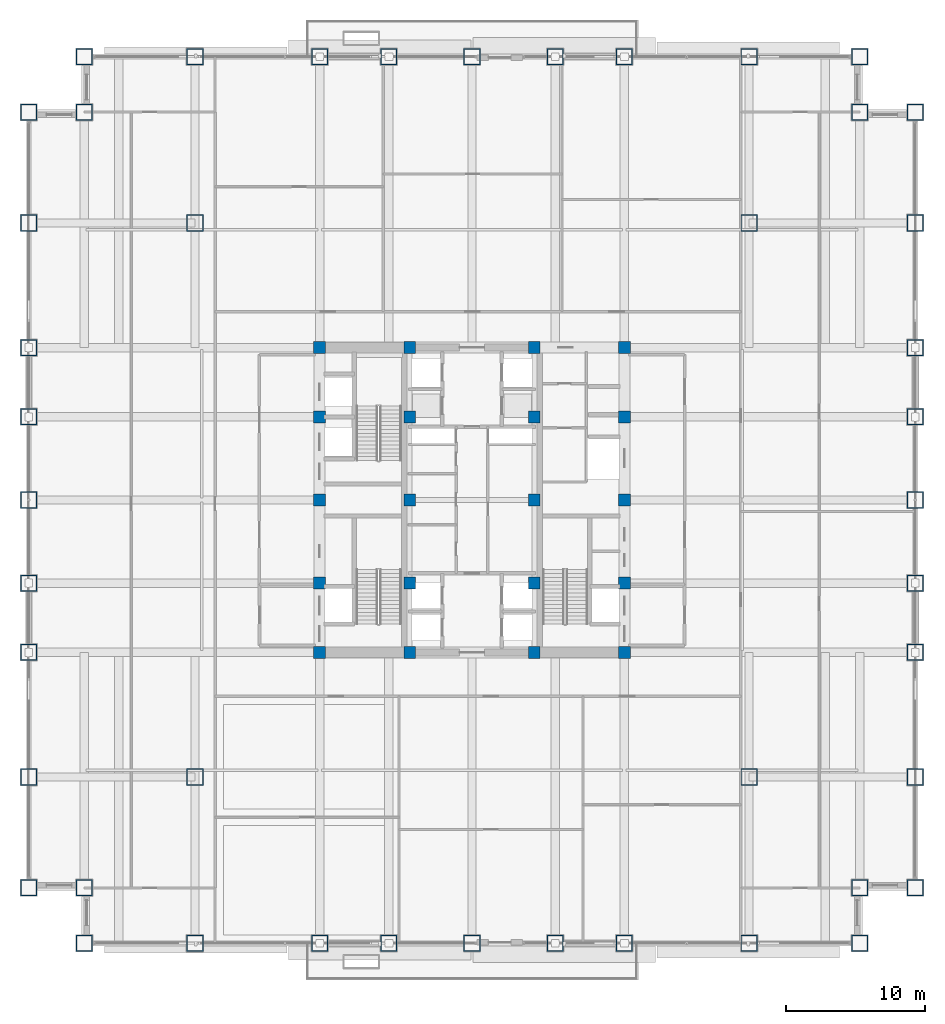
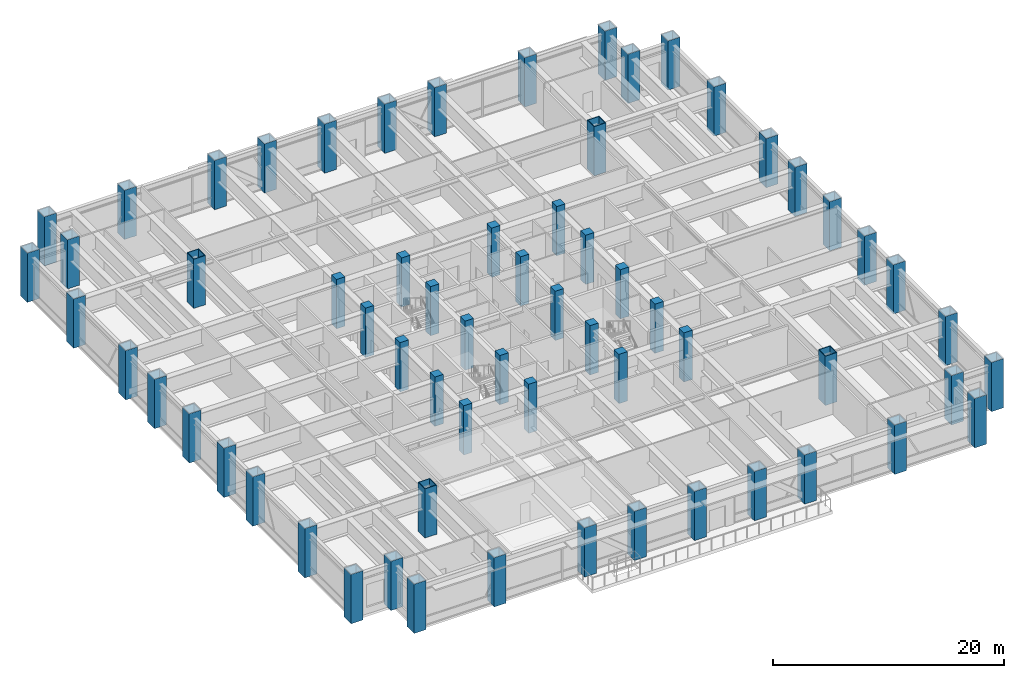
# One storey, part 1 of 34: 64 columns.
"""IFC4 building model written with IfcOpenShell, lengths in metres."""

from ifc_helpers import new_model, si_unit, direction, frame, origin, origin_2d, place, context, subcontext, project, spatial, rectangle, hollow_rectangle, extrude, source, transform, mapped, material, material_profile, profile_set, type_object, element, save


model = new_model("IFC4")

# Units and contexts
model_context = context("Model", 3, precision=1e-05, world=origin(), true_north=direction((0.0, 1.0)))
body_context = subcontext(model_context, "Body", "Model", "MODEL_VIEW")
ifc_project = project(units=[si_unit("LENGTHUNIT", "METRE"), si_unit("AREAUNIT", "SQUARE_METRE"), si_unit("VOLUMEUNIT", "CUBIC_METRE"), si_unit("PLANEANGLEUNIT", "RADIAN"), si_unit("MASSUNIT", "GRAM", prefix="KILO")], contexts=[model_context])

# Site, building, storey
site_placement = place(None, origin())
site = spatial("IfcSite", under=ifc_project, at=site_placement, CompositionType="ELEMENT")
building_placement = place(site_placement, origin())
building = spatial("IfcBuilding", under=site, at=building_placement, Name="Khorayat Bourse Tower", CompositionType="ELEMENT")
storey_placement = place(building_placement, frame((0.0, 0.0, 144.699951171875)))
storey = spatial("IfcBuildingStorey", under=building, at=storey_placement, Name="L33", CompositionType="ELEMENT", Elevation=144.699951171875)

# Columns
ifc_material_1 = material(Name="Steel EN 10025-4 S460M", Category="steel")
ifc_material_profile_1 = material_profile(ifc_material_1, hollow_rectangle(XDim=1.199951171875, YDim=1.199951171875, WallThickness=0.070068359375, at=origin_2d()), Name="BOX 1200x1200x70")
ifc_profile_set_1 = profile_set([ifc_material_profile_1], Name="Steel EN 10025-4 S460M")
column_type_1 = type_object("IfcColumnType", Name="COL-TUBE-1200", PredefinedType="COLUMN", material=ifc_profile_set_1)
shared_shape_1 = source(origin(), body_context, "Body", "SweptSolid", [
    extrude(hollow_rectangle(XDim=1.199951171875, YDim=1.199951171875, WallThickness=0.070068359375, at=origin_2d()), origin(), (0.0, 0.0, 1.0), 5.199951171875),
])
for number, where, z_axis, x_axis, name in (
    (1, (-32.0, -28.0, 0.0), (0.0, 0.0, 1.0), (1.0, 0.0, 0.0), "L33 Column 001"),
    (2, (-32.0, -20.0, 0.0), (0.0, 0.0, 1.0), (1.0, 0.0, 0.0), "L33 Column 002"),
    (3, (-32.0, -11.0, 0.0), (0.0, 0.0, 1.0), (1.0, 0.0, 0.0), "L33 Column 003"),
    (4, (-32.0, -6.0, 0.0), (0.0, 0.0, 1.0), (1.0, 0.0, 0.0), "L33 Column 004"),
    (5, (-32.0, 0.0, 0.0), (0.0, 0.0, 1.0), (1.0, 0.0, 0.0), "L33 Column 005"),
    (6, (-32.0, 6.0, 0.0), (0.0, 0.0, 1.0), (1.0, 0.0, 0.0), "L33 Column 006"),
    (7, (-32.0, 11.0, 0.0), (0.0, 0.0, 1.0), (1.0, 0.0, 0.0), "L33 Column 007"),
    (8, (-32.0, 20.0, 0.0), (0.0, 0.0, 1.0), (1.0, 0.0, 0.0), "L33 Column 008"),
    (9, (-32.0, 28.0, 0.0), (0.0, 0.0, 1.0), (1.0, 0.0, 0.0), "L33 Column 009"),
    (10, (-28.0, -32.0, 0.0), (0.0, 0.0, 1.0), (1.0, 0.0, 0.0), "L33 Column 010"),
    (11, (-28.0, -28.0, 0.0), (0.0, 0.0, 1.0), (1.0, 0.0, 0.0), "L33 Column 011"),
    (12, (-28.0, 28.0, 0.0), (0.0, 0.0, 1.0), (1.0, 0.0, 0.0), "L33 Column 012"),
    (13, (-28.0, 32.0, 0.0), (0.0, 0.0, 1.0), (1.0, 0.0, 0.0), "L33 Column 013"),
    (14, (-20.0, -32.0, 0.0), (0.0, 0.0, 1.0), (1.0, 0.0, 0.0), "L33 Column 014"),
    (15, (-20.0, -20.0, 0.0), (0.0, 0.0, 1.0), (1.0, 0.0, 0.0), "L33 Column 015"),
    (16, (-20.0, 20.0, 0.0), (0.0, 0.0, 1.0), (1.0, 0.0, 0.0), "L33 Column 016"),
    (17, (-20.0, 32.0, 0.0), (0.0, 0.0, 1.0), (1.0, 0.0, 0.0), "L33 Column 017"),
    (18, (-11.0, -32.0, 0.0), (0.0, 0.0, 1.0), (1.0, 0.0, 0.0), "L33 Column 018"),
    (19, (-11.0, 32.0, 0.0), (0.0, 0.0, 1.0), (1.0, 0.0, 0.0), "L33 Column 024"),
    (20, (-6.0, -32.0, 0.0), (0.0, 0.0, 1.0), (1.0, 0.0, 0.0), "L33 Column 025"),
    (21, (-6.0, 32.0, 0.0), (0.0, 0.0, 1.0), (1.0, 0.0, 0.0), "L33 Column 026"),
    (22, (0.0, -32.0, 0.0), (0.0, 0.0, 1.0), (1.0, 0.0, 0.0), "L33 Column 032"),
    (23, (0.0, 32.0, 0.0), (0.0, 0.0, 1.0), (1.0, 0.0, 0.0), "L33 Column 033"),
    (24, (6.0, -32.0, 0.0), (0.0, 0.0, 1.0), (1.0, 0.0, 0.0), "L33 Column 039"),
    (25, (6.0, 32.0, 0.0), (0.0, 0.0, 1.0), (1.0, 0.0, 0.0), "L33 Column 040"),
    (26, (11.0, -32.0, 0.0), (0.0, 0.0, 1.0), (1.0, 0.0, 0.0), "L33 Column 041"),
    (27, (11.0, 32.0, 0.0), (0.0, 0.0, 1.0), (1.0, 0.0, 0.0), "L33 Column 047"),
    (28, (20.0, -32.0, 0.0), (0.0, 0.0, 1.0), (1.0, 0.0, 0.0), "L33 Column 048"),
    (29, (20.0, -20.0, 0.0), (0.0, 0.0, 1.0), (1.0, 0.0, 0.0), "L33 Column 049"),
    (30, (20.0, 20.0, 0.0), (0.0, 0.0, 1.0), (1.0, 0.0, 0.0), "L33 Column 050"),
    (31, (20.0, 32.0, 0.0), (0.0, 0.0, 1.0), (1.0, 0.0, 0.0), "L33 Column 051"),
    (32, (28.0, -32.0, 0.0), (0.0, 0.0, 1.0), (1.0, 0.0, 0.0), "L33 Column 052"),
    (33, (28.0, -28.0, 0.0), (0.0, 0.0, 1.0), (1.0, 0.0, 0.0), "L33 Column 053"),
    (34, (28.0, 28.0, 0.0), (0.0, 0.0, 1.0), (1.0, 0.0, 0.0), "L33 Column 054"),
    (35, (28.0, 32.0, 0.0), (0.0, 0.0, 1.0), (1.0, 0.0, 0.0), "L33 Column 055"),
    (36, (32.0, -28.0, 0.0), (0.0, 0.0, 1.0), (1.0, 0.0, 0.0), "L33 Column 056"),
    (37, (32.0, -20.0, 0.0), (0.0, 0.0, 1.0), (1.0, 0.0, 0.0), "L33 Column 057"),
    (38, (32.0, -11.0, 0.0), (0.0, 0.0, 1.0), (1.0, 0.0, 0.0), "L33 Column 058"),
    (39, (32.0, -6.0, 0.0), (0.0, 0.0, 1.0), (1.0, 0.0, 0.0), "L33 Column 059"),
    (40, (32.0, 0.0, 0.0), (0.0, 0.0, 1.0), (1.0, 0.0, 0.0), "L33 Column 060"),
    (41, (32.0, 6.0, 0.0), (0.0, 0.0, 1.0), (1.0, 0.0, 0.0), "L33 Column 061"),
    (42, (32.0, 11.0, 0.0), (0.0, 0.0, 1.0), (1.0, 0.0, 0.0), "L33 Column 062"),
    (43, (32.0, 20.0, 0.0), (0.0, 0.0, 1.0), (1.0, 0.0, 0.0), "L33 Column 063"),
    (44, (32.0, 28.0, 0.0), (0.0, 0.0, 1.0), (1.0, 0.0, 0.0), "L33 Column 064"),
):
    element("IfcColumn", number, at=place(storey_placement, frame(where, z_axis=z_axis, x_axis=x_axis)), inside=storey, type_object=column_type_1, Name=name, PredefinedType="COLUMN", context=body_context, shape_type="MappedRepresentation", body=[
        mapped(shared_shape_1, transform((0.0, 0.0, 0.0), scale=1.0)),
    ])
ifc_material_2 = material(Name="Concrete C60/75", Category="concrete")
ifc_material_profile_2 = material_profile(ifc_material_2, rectangle(XDim=0.85009765625, YDim=0.85009765625, at=origin_2d()), Name="RC 850x850")
ifc_profile_set_2 = profile_set([ifc_material_profile_2], Name="Concrete C60/75")
column_type_2 = type_object("IfcColumnType", Name="COL-CORE-850", PredefinedType="COLUMN", material=ifc_profile_set_2)
shared_shape_2 = source(origin(), body_context, "Body", "SweptSolid", [
    extrude(rectangle(XDim=0.85009765625, YDim=0.85009765625, at=origin_2d()), origin(), (0.0, 0.0, 1.0), 5.199951171875),
])
for number, where, z_axis, x_axis, name in (
    (45, (-11.0, -11.0, 0.0), (0.0, 0.0, 1.0), (1.0, 0.0, 0.0), "L33 Column 019"),
    (46, (-11.0, -6.0, 0.0), (0.0, 0.0, 1.0), (1.0, 0.0, 0.0), "L33 Column 020"),
    (47, (-11.0, 0.0, 0.0), (0.0, 0.0, 1.0), (1.0, 0.0, 0.0), "L33 Column 021"),
    (48, (-11.0, 6.0, 0.0), (0.0, 0.0, 1.0), (1.0, 0.0, 0.0), "L33 Column 022"),
    (49, (-11.0, 11.0, 0.0), (0.0, 0.0, 1.0), (1.0, 0.0, 0.0), "L33 Column 023"),
    (50, (-4.5, -11.0, 0.0), (0.0, 0.0, 1.0), (1.0, 0.0, 0.0), "L33 Column 027"),
    (51, (-4.5, -6.0, 0.0), (0.0, 0.0, 1.0), (1.0, 0.0, 0.0), "L33 Column 028"),
    (52, (-4.5, 0.0, 0.0), (0.0, 0.0, 1.0), (1.0, 0.0, 0.0), "L33 Column 029"),
    (53, (-4.5, 6.0, 0.0), (0.0, 0.0, 1.0), (1.0, 0.0, 0.0), "L33 Column 030"),
    (54, (-4.5, 11.0, 0.0), (0.0, 0.0, 1.0), (1.0, 0.0, 0.0), "L33 Column 031"),
    (55, (4.5, -11.0, 0.0), (0.0, 0.0, 1.0), (1.0, 0.0, 0.0), "L33 Column 034"),
    (56, (4.5, -6.0, 0.0), (0.0, 0.0, 1.0), (1.0, 0.0, 0.0), "L33 Column 035"),
    (57, (4.5, 0.0, 0.0), (0.0, 0.0, 1.0), (1.0, 0.0, 0.0), "L33 Column 036"),
    (58, (4.5, 6.0, 0.0), (0.0, 0.0, 1.0), (1.0, 0.0, 0.0), "L33 Column 037"),
    (59, (4.5, 11.0, 0.0), (0.0, 0.0, 1.0), (1.0, 0.0, 0.0), "L33 Column 038"),
    (60, (11.0, -11.0, 0.0), (0.0, 0.0, 1.0), (1.0, 0.0, 0.0), "L33 Column 042"),
    (61, (11.0, -6.0, 0.0), (0.0, 0.0, 1.0), (1.0, 0.0, 0.0), "L33 Column 043"),
    (62, (11.0, 0.0, 0.0), (0.0, 0.0, 1.0), (1.0, 0.0, 0.0), "L33 Column 044"),
    (63, (11.0, 6.0, 0.0), (0.0, 0.0, 1.0), (1.0, 0.0, 0.0), "L33 Column 045"),
    (64, (11.0, 11.0, 0.0), (0.0, 0.0, 1.0), (1.0, 0.0, 0.0), "L33 Column 046"),
):
    element("IfcColumn", number, at=place(storey_placement, frame(where, z_axis=z_axis, x_axis=x_axis)), inside=storey, type_object=column_type_2, Name=name, PredefinedType="COLUMN", context=body_context, shape_type="MappedRepresentation", body=[
        mapped(shared_shape_2, transform((0.0, 0.0, 0.0), scale=1.0)),
    ])

save(model, "model.ifc")
